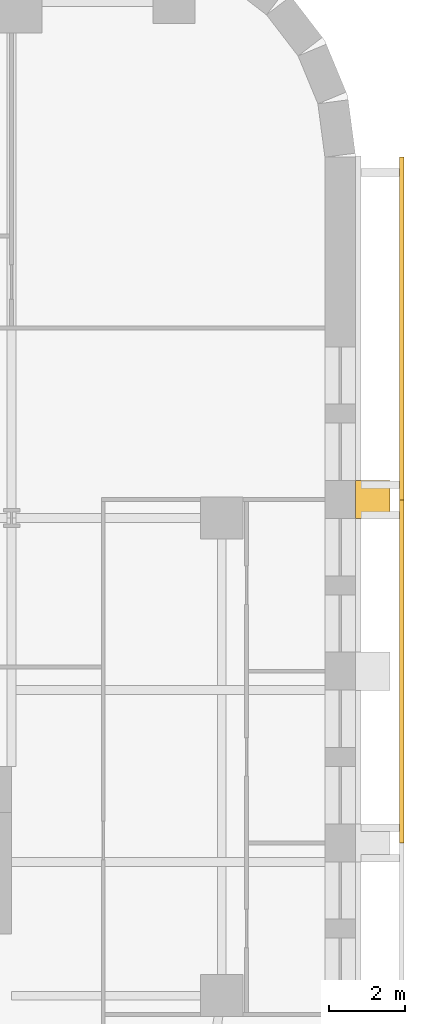
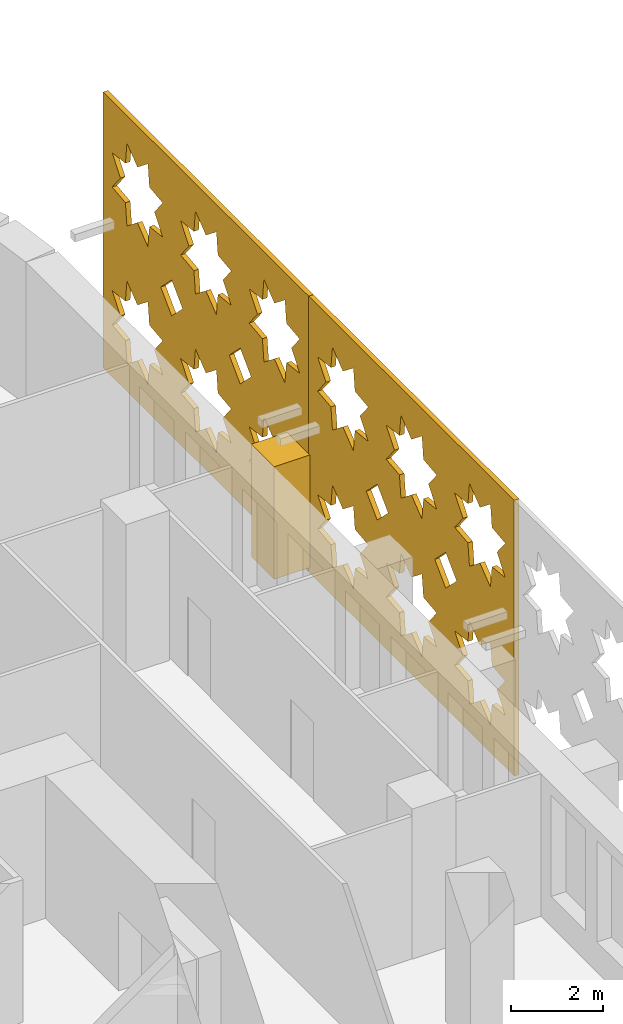
# One storey, part 15 of 15: 3 coverings.
"""IFC4 building model written with IfcOpenShell, lengths in metres."""

from ifc_helpers import new_model, si_unit, direction, frame, origin, place, context, subcontext, project, spatial, polyline, outline, extrude, material, layer, layer_set, type_object, element, save


model = new_model("IFC4")

# Units and contexts
model_context = context("Model", 3, precision=1e-05, world=origin(), true_north=direction((0.0, 1.0)))
body_context = subcontext(model_context, "Body", "Model", "MODEL_VIEW")
ifc_project = project(units=[si_unit("LENGTHUNIT", "METRE"), si_unit("AREAUNIT", "SQUARE_METRE"), si_unit("VOLUMEUNIT", "CUBIC_METRE"), si_unit("PLANEANGLEUNIT", "RADIAN"), si_unit("MASSUNIT", "GRAM", prefix="KILO")], contexts=[model_context])

# Site, building, storey
site_placement = place(None, origin())
site = spatial("IfcSite", under=ifc_project, at=site_placement, CompositionType="ELEMENT")
building_placement = place(site_placement, origin())
building = spatial("IfcBuilding", under=site, at=building_placement, Name="Zellij Exchange Tower", CompositionType="ELEMENT")
storey_placement = place(building_placement, frame((0.0, 0.0, 92.5)))
storey = spatial("IfcBuildingStorey", under=building, at=storey_placement, Name="L19", CompositionType="ELEMENT", Elevation=92.5)

# Coverings
ifc_material_1 = material(Name="Limestone cladding", Category="masonry")
covering_type_1 = type_object("IfcCoveringType", Name="ENV-CV2 Stone pier 1000x900", PredefinedType="CLADDING", material=ifc_material_1)
covering_1_placement = place(storey_placement, frame((0.0, 0.0, 0.800048828125)))
element("IfcCovering", 1, at=covering_1_placement, inside=storey, type_object=covering_type_1, Name="Stone pier", PredefinedType="CLADDING", context=body_context, shape_type="SweptSolid", body=[
    extrude(outline(polyline([(36.0, 4.48681640625), (36.0, 5.48681640625), (36.89990234375, 5.48681640625), (36.89990234375, 4.48681640625), (36.0, 4.48681640625)])), origin(), (0.0, 0.0, 1.0), 3.0),
])
ifc_material_2 = material(Name="Limestone screen", Category="masonry")
ifc_layer = layer(ifc_material_2, 0.1201171875)
ifc_layer_set = layer_set([ifc_layer], Name="Limestone screen")
covering_type_2 = type_object("IfcCoveringType", Name="ENV-SC1 Pierced stone screen 120", PredefinedType="USERDEFINED", material=ifc_layer_set)
covering_2_placement = place(storey_placement, frame((37.2099609375, -4.0, 0.300048828125), z_axis=(0.0, 0.0, 1.0), x_axis=(0.0, 1.0, 0.0)))
element("IfcCovering", 2, at=covering_2_placement, inside=storey, type_object=covering_type_2, Name="Pierced stone screen", ObjectType="SCREEN", PredefinedType="USERDEFINED", context=body_context, shape_type="SweptSolid", body=[
    extrude(outline(polyline([(0.0, 0.0), (8.973876953125, 0.0), (8.973876953125, 7.35009765625), (0.0, 7.35009765625), (0.0, 0.0)]), holes=[polyline([(2.60107421875, 2.29541015625), (2.020263671875, 2.362060546875), (1.95361328125, 2.94287109375), (1.49560546875, 2.579345703125), (1.03759765625, 2.94287109375), (0.97119140625, 2.362060546875), (0.39013671875, 2.29541015625), (0.75390625, 1.83740234375), (0.39013671875, 1.379638671875), (0.97119140625, 1.31298828125), (1.03759765625, 0.732177734375), (1.49560546875, 1.095703125), (1.95361328125, 0.732177734375), (2.020263671875, 1.31298828125), (2.60107421875, 1.379638671875), (2.237548828125, 1.83740234375), (2.60107421875, 2.29541015625)]), polyline([(2.60107421875, 5.970458984375), (2.020263671875, 6.037109375), (1.95361328125, 6.617919921875), (1.49560546875, 6.25439453125), (1.03759765625, 6.617919921875), (0.97119140625, 6.037109375), (0.39013671875, 5.970458984375), (0.75390625, 5.512451171875), (0.39013671875, 5.0546875), (0.97119140625, 4.98779296875), (1.03759765625, 4.406982421875), (1.49560546875, 4.770751953125), (1.95361328125, 4.406982421875), (2.020263671875, 4.98779296875), (2.60107421875, 5.0546875), (2.237548828125, 5.512451171875), (2.60107421875, 5.970458984375)]), polyline([(5.59228515625, 2.29541015625), (5.011474609375, 2.362060546875), (4.94482421875, 2.94287109375), (4.48681640625, 2.579345703125), (4.029052734375, 2.94287109375), (3.96240234375, 2.362060546875), (3.381591796875, 2.29541015625), (3.7451171875, 1.83740234375), (3.381591796875, 1.379638671875), (3.96240234375, 1.31298828125), (4.029052734375, 0.732177734375), (4.48681640625, 1.095703125), (4.94482421875, 0.732177734375), (5.011474609375, 1.31298828125), (5.59228515625, 1.379638671875), (5.228759765625, 1.83740234375), (5.59228515625, 2.29541015625)]), polyline([(5.59228515625, 5.970458984375), (5.011474609375, 6.037109375), (4.94482421875, 6.617919921875), (4.48681640625, 6.25439453125), (4.029052734375, 6.617919921875), (3.96240234375, 6.037109375), (3.381591796875, 5.970458984375), (3.7451171875, 5.512451171875), (3.381591796875, 5.0546875), (3.96240234375, 4.98779296875), (4.029052734375, 4.406982421875), (4.48681640625, 4.770751953125), (4.94482421875, 4.406982421875), (5.011474609375, 4.98779296875), (5.59228515625, 5.0546875), (5.228759765625, 5.512451171875), (5.59228515625, 5.970458984375)]), polyline([(8.58349609375, 2.29541015625), (8.002685546875, 2.362060546875), (7.93603515625, 2.94287109375), (7.478271484375, 2.579345703125), (7.020263671875, 2.94287109375), (6.95361328125, 2.362060546875), (6.372802734375, 2.29541015625), (6.736328125, 1.83740234375), (6.372802734375, 1.379638671875), (6.95361328125, 1.31298828125), (7.020263671875, 0.732177734375), (7.478271484375, 1.095703125), (7.93603515625, 0.732177734375), (8.002685546875, 1.31298828125), (8.58349609375, 1.379638671875), (8.219970703125, 1.83740234375), (8.58349609375, 2.29541015625)]), polyline([(8.58349609375, 5.970458984375), (8.002685546875, 6.037109375), (7.93603515625, 6.617919921875), (7.478271484375, 6.25439453125), (7.020263671875, 6.617919921875), (6.95361328125, 6.037109375), (6.372802734375, 5.970458984375), (6.736328125, 5.512451171875), (6.372802734375, 5.0546875), (6.95361328125, 4.98779296875), (7.020263671875, 4.406982421875), (7.478271484375, 4.770751953125), (7.93603515625, 4.406982421875), (8.002685546875, 4.98779296875), (8.58349609375, 5.0546875), (8.219970703125, 5.512451171875), (8.58349609375, 5.970458984375)]), polyline([(3.469970703125, 3.675048828125), (2.9912109375, 4.153564453125), (2.5126953125, 3.675048828125), (2.9912109375, 3.1962890625), (3.469970703125, 3.675048828125)]), polyline([(6.461181640625, 3.675048828125), (5.982421875, 4.153564453125), (5.50390625, 3.675048828125), (5.982421875, 3.1962890625), (6.461181640625, 3.675048828125)])]), frame((0.0, 0.06005859375, 0.0), z_axis=(0.0, -1.0, 0.0), x_axis=(1.0, 0.0, 0.0)), (0.0, 0.0, 1.0), 0.1201171875),
])
covering_3_placement = place(storey_placement, frame((37.2099609375, 4.973876953125, 0.300048828125), z_axis=(0.0, 0.0, 1.0), x_axis=(0.0, 1.0, 0.0)))
element("IfcCovering", 3, at=covering_3_placement, inside=storey, type_object=covering_type_2, Name="Pierced stone screen", ObjectType="SCREEN", PredefinedType="USERDEFINED", context=body_context, shape_type="SweptSolid", body=[
    extrude(outline(polyline([(0.0, 0.0), (8.973876953125, 0.0), (8.973876953125, 7.35009765625), (0.0, 7.35009765625), (0.0, 0.0)]), holes=[polyline([(2.60107421875, 2.29541015625), (2.020263671875, 2.362060546875), (1.95361328125, 2.94287109375), (1.49560546875, 2.579345703125), (1.03759765625, 2.94287109375), (0.97119140625, 2.362060546875), (0.39013671875, 2.29541015625), (0.75390625, 1.83740234375), (0.39013671875, 1.379638671875), (0.97119140625, 1.31298828125), (1.03759765625, 0.732177734375), (1.49560546875, 1.095703125), (1.95361328125, 0.732177734375), (2.020263671875, 1.31298828125), (2.60107421875, 1.379638671875), (2.237548828125, 1.83740234375), (2.60107421875, 2.29541015625)]), polyline([(2.60107421875, 5.970458984375), (2.020263671875, 6.037109375), (1.95361328125, 6.617919921875), (1.49560546875, 6.25439453125), (1.03759765625, 6.617919921875), (0.97119140625, 6.037109375), (0.39013671875, 5.970458984375), (0.75390625, 5.512451171875), (0.39013671875, 5.0546875), (0.97119140625, 4.98779296875), (1.03759765625, 4.406982421875), (1.49560546875, 4.770751953125), (1.95361328125, 4.406982421875), (2.020263671875, 4.98779296875), (2.60107421875, 5.0546875), (2.237548828125, 5.512451171875), (2.60107421875, 5.970458984375)]), polyline([(5.59228515625, 2.29541015625), (5.011474609375, 2.362060546875), (4.94482421875, 2.94287109375), (4.48681640625, 2.579345703125), (4.029052734375, 2.94287109375), (3.96240234375, 2.362060546875), (3.381591796875, 2.29541015625), (3.7451171875, 1.83740234375), (3.381591796875, 1.379638671875), (3.96240234375, 1.31298828125), (4.029052734375, 0.732177734375), (4.48681640625, 1.095703125), (4.94482421875, 0.732177734375), (5.011474609375, 1.31298828125), (5.59228515625, 1.379638671875), (5.228759765625, 1.83740234375), (5.59228515625, 2.29541015625)]), polyline([(5.59228515625, 5.970458984375), (5.011474609375, 6.037109375), (4.94482421875, 6.617919921875), (4.48681640625, 6.25439453125), (4.029052734375, 6.617919921875), (3.96240234375, 6.037109375), (3.381591796875, 5.970458984375), (3.7451171875, 5.512451171875), (3.381591796875, 5.0546875), (3.96240234375, 4.98779296875), (4.029052734375, 4.406982421875), (4.48681640625, 4.770751953125), (4.94482421875, 4.406982421875), (5.011474609375, 4.98779296875), (5.59228515625, 5.0546875), (5.228759765625, 5.512451171875), (5.59228515625, 5.970458984375)]), polyline([(8.58349609375, 2.29541015625), (8.002685546875, 2.362060546875), (7.93603515625, 2.94287109375), (7.478271484375, 2.579345703125), (7.020263671875, 2.94287109375), (6.95361328125, 2.362060546875), (6.372802734375, 2.29541015625), (6.736328125, 1.83740234375), (6.372802734375, 1.379638671875), (6.95361328125, 1.31298828125), (7.020263671875, 0.732177734375), (7.478271484375, 1.095703125), (7.93603515625, 0.732177734375), (8.002685546875, 1.31298828125), (8.58349609375, 1.379638671875), (8.219970703125, 1.83740234375), (8.58349609375, 2.29541015625)]), polyline([(8.58349609375, 5.970458984375), (8.002685546875, 6.037109375), (7.93603515625, 6.617919921875), (7.478271484375, 6.25439453125), (7.020263671875, 6.617919921875), (6.95361328125, 6.037109375), (6.372802734375, 5.970458984375), (6.736328125, 5.512451171875), (6.372802734375, 5.0546875), (6.95361328125, 4.98779296875), (7.020263671875, 4.406982421875), (7.478271484375, 4.770751953125), (7.93603515625, 4.406982421875), (8.002685546875, 4.98779296875), (8.58349609375, 5.0546875), (8.219970703125, 5.512451171875), (8.58349609375, 5.970458984375)]), polyline([(3.469970703125, 3.675048828125), (2.9912109375, 4.153564453125), (2.5126953125, 3.675048828125), (2.9912109375, 3.1962890625), (3.469970703125, 3.675048828125)]), polyline([(6.461181640625, 3.675048828125), (5.982421875, 4.153564453125), (5.50390625, 3.675048828125), (5.982421875, 3.1962890625), (6.461181640625, 3.675048828125)])]), frame((0.0, 0.06005859375, 0.0), z_axis=(0.0, -1.0, 0.0), x_axis=(1.0, 0.0, 0.0)), (0.0, 0.0, 1.0), 0.1201171875),
])

save(model, "model.ifc")
